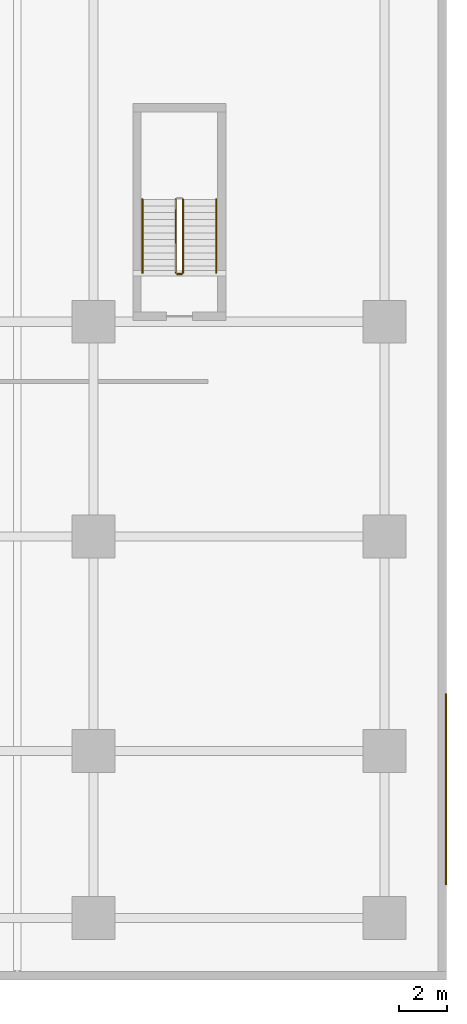
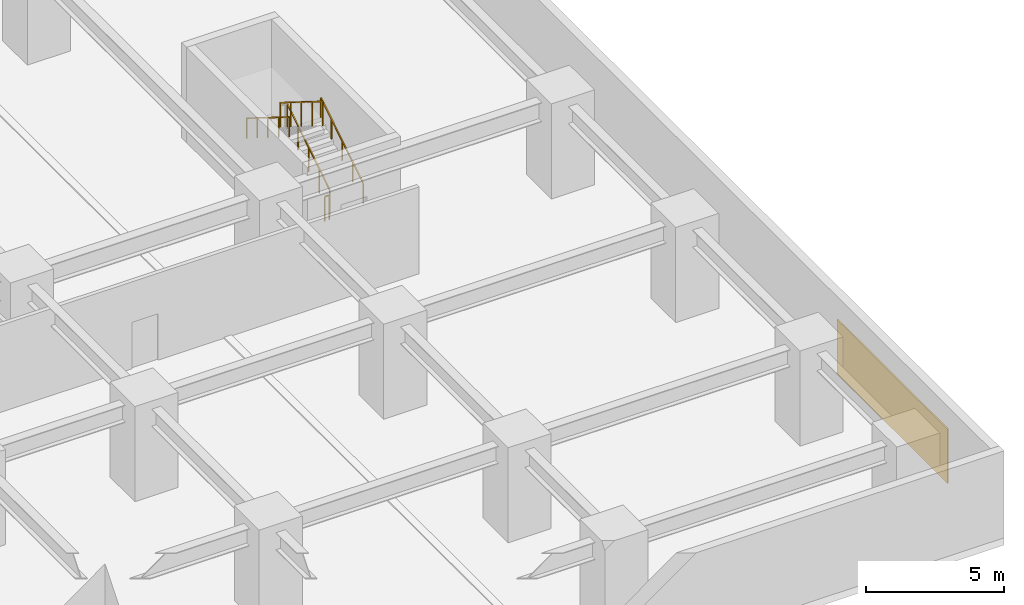
# One storey, part 20 of 22: 5 railings, 1 covering.
"""IFC4 building model written with IfcOpenShell, lengths in metres."""

from ifc_helpers import new_model, si_unit, direction, frame, origin, origin_2d, place, context, subcontext, project, spatial, polyline, rectangle, outline, extrude, material, layer, layer_set, type_object, element, save


model = new_model("IFC4")

# Units and contexts
model_context = context("Model", 3, precision=1e-05, world=origin(), true_north=direction((0.0, 1.0)))
body_context = subcontext(model_context, "Body", "Model", "MODEL_VIEW")
ifc_project = project(units=[si_unit("LENGTHUNIT", "METRE"), si_unit("AREAUNIT", "SQUARE_METRE"), si_unit("VOLUMEUNIT", "CUBIC_METRE"), si_unit("PLANEANGLEUNIT", "RADIAN"), si_unit("MASSUNIT", "GRAM", prefix="KILO")], contexts=[model_context])

# Site, building, storey
site_placement = place(None, origin())
site = spatial("IfcSite", under=ifc_project, at=site_placement, CompositionType="ELEMENT")
building_placement = place(site_placement, origin())
building = spatial("IfcBuilding", under=site, at=building_placement, Name="Kiyonajd Concourse Tower", CompositionType="ELEMENT")
storey_placement = place(building_placement, frame((0.0, 0.0, 12.89990234375)))
storey = spatial("IfcBuildingStorey", under=building, at=storey_placement, Name="L04", CompositionType="ELEMENT", Elevation=12.89990234375)

# Covering
ifc_material_1 = material(Name="Riyadh Jubaila Limestone", Category="masonry")
ifc_layer = layer(ifc_material_1, 0.06005859375)
ifc_layer_set = layer_set([ifc_layer], Name="Riyadh Jubaila Limestone")
covering_type = type_object("IfcCoveringType", Name="CV-CLD-STONE", PredefinedType="CLADDING", material=ifc_layer_set)
covering_placement = place(storey_placement, origin())
element("IfcCovering", 1, at=covering_placement, inside=storey, type_object=covering_type, Name="L04 Riyadh Jubaila Limestone Pier Cladding 2", PredefinedType="CLADDING", context=body_context, shape_type="SweptSolid", body=[
    extrude(outline(polyline([(95.93994140625, 4.0), (96.0, 4.0), (96.0, 12.0), (95.93994140625, 12.0), (95.93994140625, 4.0)])), origin(), (0.0, 0.0, 1.0), 2.400146484375),
])

# Railings
ifc_material_2 = material(Name="Steel ASTM A500 Grade C", Category="steel")
railing_type_1 = type_object("IfcRailingType", Name="RL-GRD-STR", PredefinedType="GUARDRAIL", material=ifc_material_2)
railing_1_placement = place(storey_placement, frame((84.949951171875, 29.64990234375, 0.175048828125)))
element("IfcRailing", 2, at=railing_1_placement, inside=storey, type_object=railing_type_1, Name="L04 ST5 stair guard 1", PredefinedType="GUARDRAIL", context=body_context, shape_type="SweptSolid", body=[
    extrude(rectangle(XDim=0.048095703125, YDim=0.048095703125, at=origin_2d()), frame((0.0, 0.0, 1.076171875), z_axis=(0.0, 0.847998304005, 0.529998940003), x_axis=(-1.0, 0.0, 0.0)), (0.0, 0.0, 1.0), 3.632080078125),
    extrude(rectangle(XDim=0.0419921875, YDim=0.0419921875, at=origin_2d()), origin(), (0.0, 0.0, 1.0), 1.052001953125),
    extrude(rectangle(XDim=0.0419921875, YDim=0.0419921875, at=origin_2d()), frame((0.0, 0.77001953125, 0.481201171875)), (0.0, 0.0, 1.0), 1.052001953125),
    extrude(rectangle(XDim=0.0419921875, YDim=0.0419921875, at=origin_2d()), frame((0.0, 1.5400390625, 0.96240234375)), (0.0, 0.0, 1.0), 1.052001953125),
    extrude(rectangle(XDim=0.0419921875, YDim=0.0419921875, at=origin_2d()), frame((0.0, 2.31005859375, 1.44384765625)), (0.0, 0.0, 1.0), 1.052001953125),
    extrude(rectangle(XDim=0.0419921875, YDim=0.0419921875, at=origin_2d()), frame((0.0, 3.080078125, 1.925048828125)), (0.0, 0.0, 1.0), 1.052001953125),
])
railing_2_placement = place(storey_placement, frame((84.64990234375, 32.72998046875, 2.275146484375)))
element("IfcRailing", 3, at=railing_2_placement, inside=storey, type_object=railing_type_1, Name="L04 ST5 stair guard 3", PredefinedType="GUARDRAIL", context=body_context, shape_type="SweptSolid", body=[
    extrude(rectangle(XDim=0.048095703125, YDim=0.048095703125, at=origin_2d()), frame((0.0, 0.0, 1.076171875), z_axis=(0.0, -0.847998304005, 0.529998940003), x_axis=(1.0, 0.0, 0.0)), (0.0, 0.0, 1.0), 3.632080078125),
    extrude(rectangle(XDim=0.0419921875, YDim=0.0419921875, at=origin_2d()), origin(), (0.0, 0.0, 1.0), 1.052001953125),
    extrude(rectangle(XDim=0.0419921875, YDim=0.0419921875, at=origin_2d()), frame((0.0, -0.77001953125, 0.481201171875)), (0.0, 0.0, 1.0), 1.052001953125),
    extrude(rectangle(XDim=0.0419921875, YDim=0.0419921875, at=origin_2d()), frame((0.0, -1.5400390625, 0.96240234375)), (0.0, 0.0, 1.0), 1.052001953125),
    extrude(rectangle(XDim=0.0419921875, YDim=0.0419921875, at=origin_2d()), frame((0.0, -2.31005859375, 1.44384765625)), (0.0, 0.0, 1.0), 1.052001953125),
    extrude(rectangle(XDim=0.0419921875, YDim=0.0419921875, at=origin_2d()), frame((0.0, -3.080078125, 1.925048828125)), (0.0, 0.0, 1.0), 1.052001953125),
])
railing_3_placement = place(storey_placement, frame((84.89990234375, 29.60009765625, 0.0)))
element("IfcRailing", 4, at=railing_3_placement, inside=storey, type_object=railing_type_1, Name="L04 ST5 stair guard 4", PredefinedType="GUARDRAIL", context=body_context, shape_type="SweptSolid", body=[
    extrude(rectangle(XDim=0.048095703125, YDim=0.048095703125, at=origin_2d()), frame((0.0, 0.0, 1.076171875), z_axis=(-1.0, 0.0, 0.0), x_axis=(0.0, -1.0, 0.0)), (0.0, 0.0, 1.0), 0.199951171875),
    extrude(rectangle(XDim=0.0419921875, YDim=0.0419921875, at=origin_2d()), origin(), (0.0, 0.0, 1.0), 1.052001953125),
    extrude(rectangle(XDim=0.0419921875, YDim=0.0419921875, at=origin_2d()), frame((-0.199951171875, 0.0, 0.0)), (0.0, 0.0, 1.0), 1.052001953125),
])
ifc_material_3 = material(Name="Brushed Stainless Steel Cab Assembly", Category="steel")
railing_type_2 = type_object("IfcRailingType", Name="RL-HND-900", PredefinedType="HANDRAIL", material=ifc_material_3)
railing_4_placement = place(storey_placement, frame((86.35009765625, 29.64990234375, 0.175048828125)))
element("IfcRailing", 5, at=railing_4_placement, inside=storey, type_object=railing_type_2, Name="L04 ST5 stair handrail 1", PredefinedType="HANDRAIL", context=body_context, shape_type="SweptSolid", body=[
    extrude(rectangle(XDim=0.048095703125, YDim=0.048095703125, at=origin_2d()), frame((0.0, 0.0, 0.8759765625), z_axis=(0.0, 0.847998304005, 0.529998940003), x_axis=(-1.0, 0.0, 0.0)), (0.0, 0.0, 1.0), 3.632080078125),
    extrude(rectangle(XDim=0.0419921875, YDim=0.0419921875, at=origin_2d()), origin(), (0.0, 0.0, 1.0), 0.851806640625),
    extrude(rectangle(XDim=0.0419921875, YDim=0.0419921875, at=origin_2d()), frame((0.0, 0.77001953125, 0.481201171875)), (0.0, 0.0, 1.0), 0.851806640625),
    extrude(rectangle(XDim=0.0419921875, YDim=0.0419921875, at=origin_2d()), frame((0.0, 1.5400390625, 0.96240234375)), (0.0, 0.0, 1.0), 0.851806640625),
    extrude(rectangle(XDim=0.0419921875, YDim=0.0419921875, at=origin_2d()), frame((0.0, 2.31005859375, 1.44384765625)), (0.0, 0.0, 1.0), 0.851806640625),
    extrude(rectangle(XDim=0.0419921875, YDim=0.0419921875, at=origin_2d()), frame((0.0, 3.080078125, 1.925048828125)), (0.0, 0.0, 1.0), 0.851806640625),
])
railing_5_placement = place(storey_placement, frame((83.25, 32.72998046875, 2.275146484375)))
element("IfcRailing", 6, at=railing_5_placement, inside=storey, type_object=railing_type_2, Name="L04 ST5 stair handrail 2", PredefinedType="HANDRAIL", context=body_context, shape_type="SweptSolid", body=[
    extrude(rectangle(XDim=0.048095703125, YDim=0.048095703125, at=origin_2d()), frame((0.0, 0.0, 0.8759765625), z_axis=(0.0, -0.847998304005, 0.529998940003), x_axis=(1.0, 0.0, 0.0)), (0.0, 0.0, 1.0), 3.632080078125),
    extrude(rectangle(XDim=0.0419921875, YDim=0.0419921875, at=origin_2d()), origin(), (0.0, 0.0, 1.0), 0.851806640625),
    extrude(rectangle(XDim=0.0419921875, YDim=0.0419921875, at=origin_2d()), frame((0.0, -0.77001953125, 0.481201171875)), (0.0, 0.0, 1.0), 0.851806640625),
    extrude(rectangle(XDim=0.0419921875, YDim=0.0419921875, at=origin_2d()), frame((0.0, -1.5400390625, 0.96240234375)), (0.0, 0.0, 1.0), 0.851806640625),
    extrude(rectangle(XDim=0.0419921875, YDim=0.0419921875, at=origin_2d()), frame((0.0, -2.31005859375, 1.44384765625)), (0.0, 0.0, 1.0), 0.851806640625),
    extrude(rectangle(XDim=0.0419921875, YDim=0.0419921875, at=origin_2d()), frame((0.0, -3.080078125, 1.925048828125)), (0.0, 0.0, 1.0), 0.851806640625),
])

save(model, "model.ifc")
